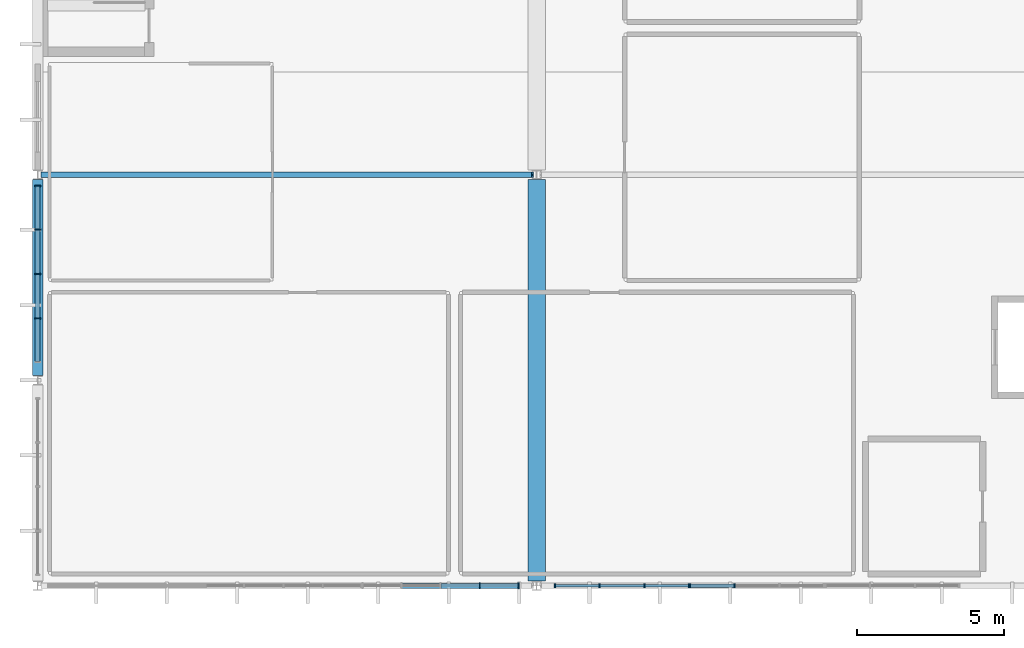
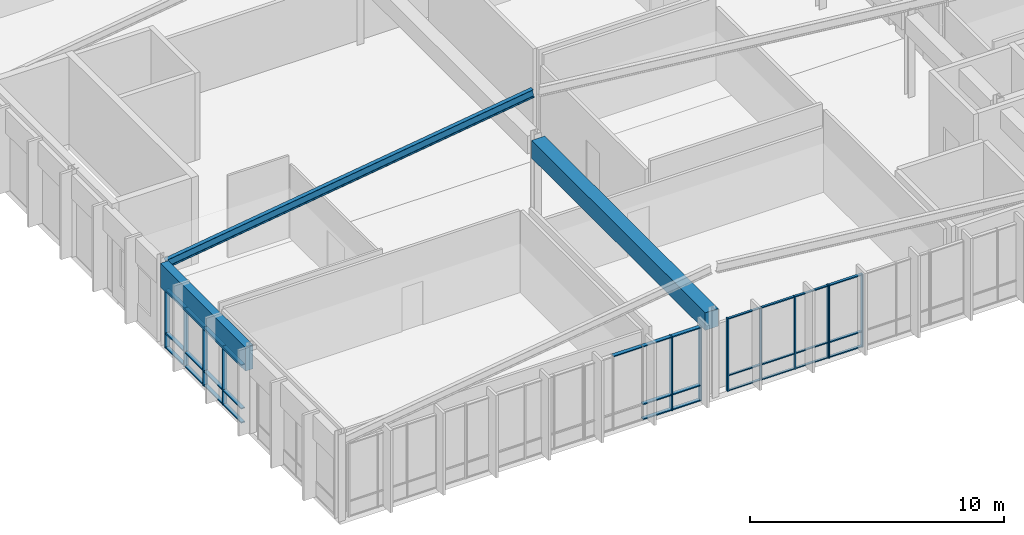
# One storey, part 5 of 16: 43 members, 3 beams, 4 elements without a shape of their own.
"""IFC4 building model written with IfcOpenShell, lengths in metres."""

from ifc_helpers import new_model, si_unit, direction, frame, origin, origin_2d, place, context, subcontext, project, spatial, rectangle, i_section, extrude, material, material_profile, profile_set, type_object, element, aggregate, save


model = new_model("IFC4")

# Units and contexts
model_context = context("Model", 3, precision=1e-05, world=origin(), true_north=direction((0.0, 1.0)))
body_context = subcontext(model_context, "Body", "Model", "MODEL_VIEW")
ifc_project = project(units=[si_unit("LENGTHUNIT", "METRE"), si_unit("AREAUNIT", "SQUARE_METRE"), si_unit("VOLUMEUNIT", "CUBIC_METRE"), si_unit("PLANEANGLEUNIT", "RADIAN"), si_unit("MASSUNIT", "GRAM", prefix="KILO")], contexts=[model_context])

# Site, building, storey
site_placement = place(None, origin())
site = spatial("IfcSite", under=ifc_project, at=site_placement, CompositionType="ELEMENT")
building_placement = place(site_placement, origin())
building = spatial("IfcBuilding", under=site, at=building_placement, Name="Larkveld Mobility Hub", CompositionType="ELEMENT")
storey_placement = place(building_placement, frame((0.0, 0.0, 22.800048828125)))
storey = spatial("IfcBuildingStorey", under=building, at=storey_placement, Name="L06", CompositionType="ELEMENT", Elevation=22.800048828125)

# Beams
ifc_material_1 = material(Name="Precast concrete C50/60", Category="concrete")
ifc_material_profile_1 = material_profile(ifc_material_1, rectangle(XDim=0.60009765625, YDim=0.85009765625, at=origin_2d()), Name="PC ITB 600x850")
ifc_profile_set_1 = profile_set([ifc_material_profile_1], Name="Precast concrete C50/60")
beam_type_1 = type_object("IfcBeamType", Name="BM-ITB6085", PredefinedType="T_BEAM", material=ifc_profile_set_1)
beam_1_placement = place(storey_placement, frame((129.0, 28.159912109375, 3.554931640625), z_axis=(0.0, 1.0, 0.0), x_axis=(-1.0, 0.0, 0.0)))
element("IfcBeam", 1, at=beam_1_placement, inside=storey, type_object=beam_type_1, Name="Primary N-S Girder L06-1004", PredefinedType="T_BEAM", context=body_context, shape_type="SweptSolid", body=[
    extrude(rectangle(XDim=0.60009765625, YDim=0.85009765625, at=origin_2d()), origin(), (0.0, 0.0, 1.0), 13.68017578125),
])
ifc_material_profile_2 = material_profile(ifc_material_1, rectangle(XDim=0.35009765625, YDim=1.14990234375, at=origin_2d()), Name="PC SP 350x1150")
ifc_profile_set_2 = profile_set([ifc_material_profile_2], Name="Precast concrete C50/60")
beam_type_2 = type_object("IfcBeamType", Name="BM-SP35115", PredefinedType="SPANDREL", material=ifc_profile_set_2)
beam_2_placement = place(storey_placement, frame((112.0, 35.159912109375, 3.405029296875), z_axis=(0.0, 1.0, 0.0), x_axis=(-1.0, 0.0, 0.0)))
element("IfcBeam", 2, at=beam_2_placement, inside=storey, type_object=beam_type_2, Name="Primary N-S Girder L06-1000", PredefinedType="SPANDREL", context=body_context, shape_type="SweptSolid", body=[
    extrude(rectangle(XDim=0.35009765625, YDim=1.14990234375, at=origin_2d()), origin(), (0.0, 0.0, 1.0), 6.68017578125),
])
ifc_material_2 = material(Name="Steel S355JR", Category="steel")
ifc_material_profile_3 = material_profile(ifc_material_2, i_section(OverallWidth=0.179931640625, OverallDepth=0.39990234375, WebThickness=0.008544921875, FlangeThickness=0.013427734375, FilletRadius=0.02099609375, at=origin_2d()), Name="IPE 400")
ifc_profile_set_3 = profile_set([ifc_material_profile_3], Name="Steel S355JR")
beam_type_3 = type_object("IfcBeamType", Name="BM-STIPE400", PredefinedType="BEAM", material=ifc_profile_set_3)
beam_3_placement = place(storey_placement, frame((112.139892578125, 42.0, 3.760009765625), z_axis=(0.990021643493, 0.0, 0.140915383885), x_axis=(0.0, 1.0, 0.0)))
element("IfcBeam", 3, at=beam_3_placement, inside=storey, type_object=beam_type_3, Name="Sports Pavilion West Rafter L06-1746", PredefinedType="BEAM", context=body_context, shape_type="SweptSolid", body=[
    extrude(i_section(OverallWidth=0.179931640625, OverallDepth=0.39990234375, WebThickness=0.008544921875, FlangeThickness=0.013427734375, FilletRadius=0.02099609375, at=origin_2d()), origin(), (0.0, 0.0, 1.0), 16.888671875),
])

# Curtain wall, members
ifc_material_3 = material(Name="Anodised aluminium 6063-T6", Category="aluminium")
curtain_wall_type_1 = type_object("IfcCurtainWallType", Name="CW-SYS-01", PredefinedType="NOTDEFINED", material=ifc_material_3)
curtain_wall_1_placement = place(storey_placement, origin())
curtain_wall_1 = element("IfcCurtainWall", 4, at=curtain_wall_1_placement, inside=storey, type_object=curtain_wall_type_1, Name="Sports Pavilion South Overlook Glazing CW-181", PredefinedType="NOTDEFINED")
ifc_material_profile_4 = material_profile(ifc_material_3, rectangle(XDim=0.050048828125, YDim=0.14990234375, at=origin_2d()), Name="ALU MULL 50x150")
ifc_profile_set_4 = profile_set([ifc_material_profile_4], Name="Anodised aluminium 6063-T6")
member_type_1 = type_object("IfcMemberType", Name="CW-MUL-01", PredefinedType="MULLION", material=ifc_profile_set_4)
member_1_placement = place(storey_placement, frame((134.23193359375, 28.0, -0.001953125), z_axis=(0.0, 0.0, 1.0), x_axis=(1.0, 0.0, 0.0)))
member_1 = element("IfcMember", 5, at=member_1_placement, type_object=member_type_1, Name="CW01 mullion 1", PredefinedType="MULLION", context=body_context, shape_type="SweptSolid", body=[
    extrude(rectangle(XDim=0.050048828125, YDim=0.14990234375, at=origin_2d()), origin(), (0.0, 0.0, 1.0), 3.511962890625),
])
member_2_placement = place(storey_placement, frame((135.742919921875, 28.0, -0.001953125), z_axis=(0.0, 0.0, 1.0), x_axis=(1.0, 0.0, 0.0)))
member_2 = element("IfcMember", 6, at=member_2_placement, type_object=member_type_1, Name="CW01 mullion 2", PredefinedType="MULLION", context=body_context, shape_type="SweptSolid", body=[
    extrude(rectangle(XDim=0.050048828125, YDim=0.14990234375, at=origin_2d()), origin(), (0.0, 0.0, 1.0), 3.511962890625),
])

curtain_wall_type_2 = type_object("IfcCurtainWallType", Name="CW-SYS-03", PredefinedType="NOTDEFINED", material=ifc_material_3)
curtain_wall_2_placement = place(storey_placement, origin())
curtain_wall_2 = element("IfcCurtainWall", 7, at=curtain_wall_2_placement, inside=storey, type_object=curtain_wall_type_2, Name="EV Wing West Glazing L06 CW-171", PredefinedType="NOTDEFINED")
ifc_material_profile_5 = material_profile(ifc_material_3, rectangle(XDim=0.050048828125, YDim=0.2099609375, at=origin_2d()), Name="ALU MULL 50x210")
ifc_profile_set_5 = profile_set([ifc_material_profile_5], Name="Anodised aluminium 6063-T6")
member_type_2 = type_object("IfcMemberType", Name="CW-MUL-03", PredefinedType="MULLION", material=ifc_profile_set_5)
member_3_placement = place(storey_placement, frame((112.0, 41.625, -0.001953125), z_axis=(0.0, 0.0, 1.0), x_axis=(0.0, -1.0, 0.0)))
member_3 = element("IfcMember", 8, at=member_3_placement, type_object=member_type_2, Name="CW03 mullion 1", PredefinedType="MULLION", context=body_context, shape_type="SweptSolid", body=[
    extrude(rectangle(XDim=0.050048828125, YDim=0.2099609375, at=origin_2d()), origin(), (0.0, 0.0, 1.0), 2.831787109375),
])
member_4_placement = place(storey_placement, frame((112.0, 40.136962890625, -0.001953125), z_axis=(0.0, 0.0, 1.0), x_axis=(0.0, -1.0, 0.0)))
member_4 = element("IfcMember", 9, at=member_4_placement, type_object=member_type_2, Name="CW03 mullion 2", PredefinedType="MULLION", context=body_context, shape_type="SweptSolid", body=[
    extrude(rectangle(XDim=0.050048828125, YDim=0.2099609375, at=origin_2d()), origin(), (0.0, 0.0, 1.0), 2.831787109375),
])
member_5_placement = place(storey_placement, frame((112.0, 38.625, -0.001953125), z_axis=(0.0, 0.0, 1.0), x_axis=(0.0, -1.0, 0.0)))
member_5 = element("IfcMember", 10, at=member_5_placement, type_object=member_type_2, Name="CW03 mullion 3", PredefinedType="MULLION", context=body_context, shape_type="SweptSolid", body=[
    extrude(rectangle(XDim=0.050048828125, YDim=0.2099609375, at=origin_2d()), origin(), (0.0, 0.0, 1.0), 2.831787109375),
])
member_6_placement = place(storey_placement, frame((112.0, 37.112060546875, -0.001953125), z_axis=(0.0, 0.0, 1.0), x_axis=(0.0, -1.0, 0.0)))
member_6 = element("IfcMember", 11, at=member_6_placement, type_object=member_type_2, Name="CW03 mullion 4", PredefinedType="MULLION", context=body_context, shape_type="SweptSolid", body=[
    extrude(rectangle(XDim=0.050048828125, YDim=0.2099609375, at=origin_2d()), origin(), (0.0, 0.0, 1.0), 2.831787109375),
])

curtain_wall_type_3 = type_object("IfcCurtainWallType", Name="CW-SYS-11", PredefinedType="NOTDEFINED", material=ifc_material_3)
curtain_wall_3_placement = place(storey_placement, origin())
curtain_wall_3 = element("IfcCurtainWall", 12, at=curtain_wall_3_placement, inside=storey, type_object=curtain_wall_type_3, Name="Sports Pavilion South Overlook Glazing CW-179", PredefinedType="NOTDEFINED")
member_7_placement = place(storey_placement, frame((127.06201171875, 28.0, -0.001953125), z_axis=(0.0, 0.0, 1.0), x_axis=(1.0, 0.0, 0.0)))
member_7 = element("IfcMember", 13, at=member_7_placement, type_object=member_type_2, Name="CW11 mullion 4", PredefinedType="MULLION", context=body_context, shape_type="SweptSolid", body=[
    extrude(rectangle(XDim=0.050048828125, YDim=0.2099609375, at=origin_2d()), origin(), (0.0, 0.0, 1.0), 3.56201171875),
])
member_8_placement = place(storey_placement, frame((128.375, 28.0, -0.001953125), z_axis=(0.0, 0.0, 1.0), x_axis=(1.0, 0.0, 0.0)))
member_8 = element("IfcMember", 14, at=member_8_placement, type_object=member_type_2, Name="CW11 mullion 5", PredefinedType="MULLION", context=body_context, shape_type="SweptSolid", body=[
    extrude(rectangle(XDim=0.050048828125, YDim=0.2099609375, at=origin_2d()), origin(), (0.0, 0.0, 1.0), 3.56201171875),
])

curtain_wall_type_4 = type_object("IfcCurtainWallType", Name="CW-SYS-12", PredefinedType="NOTDEFINED", material=ifc_material_3)
curtain_wall_4_placement = place(storey_placement, origin())
curtain_wall_4 = element("IfcCurtainWall", 15, at=curtain_wall_4_placement, inside=storey, type_object=curtain_wall_type_4, Name="Sports Pavilion South Overlook Glazing CW-180", PredefinedType="NOTDEFINED")
ifc_material_profile_6 = material_profile(ifc_material_3, rectangle(XDim=0.050048828125, YDim=0.1298828125, at=origin_2d()), Name="ALU MULL 50x130")
ifc_profile_set_6 = profile_set([ifc_material_profile_6], Name="Anodised aluminium 6063-T6")
member_type_3 = type_object("IfcMemberType", Name="CW-MUL-04", PredefinedType="MULLION", material=ifc_profile_set_6)
member_9_placement = place(storey_placement, frame((129.625, 28.0, -0.001953125), z_axis=(0.0, 0.0, 1.0), x_axis=(1.0, 0.0, 0.0)))
member_9 = element("IfcMember", 16, at=member_9_placement, type_object=member_type_3, Name="CW12 mullion 1", PredefinedType="MULLION", context=body_context, shape_type="SweptSolid", body=[
    extrude(rectangle(XDim=0.050048828125, YDim=0.1298828125, at=origin_2d()), origin(), (0.0, 0.0, 1.0), 3.511962890625),
])
member_10_placement = place(storey_placement, frame((131.135986328125, 28.0, -0.001953125), z_axis=(0.0, 0.0, 1.0), x_axis=(1.0, 0.0, 0.0)))
member_10 = element("IfcMember", 17, at=member_10_placement, type_object=member_type_3, Name="CW12 mullion 2", PredefinedType="MULLION", context=body_context, shape_type="SweptSolid", body=[
    extrude(rectangle(XDim=0.050048828125, YDim=0.1298828125, at=origin_2d()), origin(), (0.0, 0.0, 1.0), 3.511962890625),
])
member_11_placement = place(storey_placement, frame((132.6708984375, 28.0, -0.001953125), z_axis=(0.0, 0.0, 1.0), x_axis=(1.0, 0.0, 0.0)))
member_11 = element("IfcMember", 18, at=member_11_placement, type_object=member_type_3, Name="CW12 mullion 3", PredefinedType="MULLION", context=body_context, shape_type="SweptSolid", body=[
    extrude(rectangle(XDim=0.050048828125, YDim=0.1298828125, at=origin_2d()), origin(), (0.0, 0.0, 1.0), 3.511962890625),
])
member_12_placement = place(storey_placement, frame((134.181884765625, 28.0, -0.001953125), z_axis=(0.0, 0.0, 1.0), x_axis=(1.0, 0.0, 0.0)))
member_12 = element("IfcMember", 19, at=member_12_placement, type_object=member_type_3, Name="CW12 mullion 4", PredefinedType="MULLION", context=body_context, shape_type="SweptSolid", body=[
    extrude(rectangle(XDim=0.050048828125, YDim=0.1298828125, at=origin_2d()), origin(), (0.0, 0.0, 1.0), 3.511962890625),
])

# Member
ifc_material_profile_7 = material_profile(ifc_material_3, rectangle(XDim=0.1201171875, YDim=0.050048828125, at=origin_2d()), Name="ALU TRAN 50x120")
ifc_profile_set_7 = profile_set([ifc_material_profile_7], Name="Anodised aluminium 6063-T6")
member_type_4 = type_object("IfcMemberType", Name="CW-TRN-01", PredefinedType="USERDEFINED", material=ifc_profile_set_7)
member_13_placement = place(storey_placement, frame((134.241943359375, 28.0, 0.030029296875), z_axis=(1.0, 0.0, 0.0), x_axis=(0.0, 1.0, 0.0)))
member_13 = element("IfcMember", 20, at=member_13_placement, type_object=member_type_4, Name="CW01 transom 1.1", ObjectType="TRANSOM", PredefinedType="USERDEFINED", context=body_context, shape_type="SweptSolid", body=[
    extrude(rectangle(XDim=0.1201171875, YDim=0.050048828125, at=origin_2d()), origin(), (0.0, 0.0, 1.0), 1.486083984375),
])

member_14_placement = place(storey_placement, frame((134.241943359375, 28.0, 0.75), z_axis=(1.0, 0.0, 0.0), x_axis=(0.0, 1.0, 0.0)))
member_14 = element("IfcMember", 21, at=member_14_placement, type_object=member_type_4, Name="CW01 transom 1.2", ObjectType="TRANSOM", PredefinedType="USERDEFINED", context=body_context, shape_type="SweptSolid", body=[
    extrude(rectangle(XDim=0.1201171875, YDim=0.050048828125, at=origin_2d()), origin(), (0.0, 0.0, 1.0), 1.486083984375),
])

member_15_placement = place(storey_placement, frame((134.241943359375, 28.0, 3.47802734375), z_axis=(1.0, 0.0, 0.0), x_axis=(0.0, 1.0, 0.0)))
member_15 = element("IfcMember", 22, at=member_15_placement, type_object=member_type_4, Name="CW01 transom 1.3", ObjectType="TRANSOM", PredefinedType="USERDEFINED", context=body_context, shape_type="SweptSolid", body=[
    extrude(rectangle(XDim=0.1201171875, YDim=0.050048828125, at=origin_2d()), origin(), (0.0, 0.0, 1.0), 1.486083984375),
])

aggregate(curtain_wall_1, [member_1, member_2, member_13, member_14, member_15])

ifc_material_profile_8 = material_profile(ifc_material_3, rectangle(XDim=0.169921875, YDim=0.050048828125, at=origin_2d()), Name="ALU TRAN 50x170")
ifc_profile_set_8 = profile_set([ifc_material_profile_8], Name="Anodised aluminium 6063-T6")
member_type_5 = type_object("IfcMemberType", Name="CW-TRN-03", PredefinedType="USERDEFINED", material=ifc_profile_set_8)
member_16_placement = place(storey_placement, frame((112.0, 41.614990234375, 0.030029296875), z_axis=(0.0, -1.0, 0.0), x_axis=(1.0, 0.0, 0.0)))
member_16 = element("IfcMember", 23, at=member_16_placement, type_object=member_type_5, Name="CW03 transom 1.1", ObjectType="TRANSOM", PredefinedType="USERDEFINED", context=body_context, shape_type="SweptSolid", body=[
    extrude(rectangle(XDim=0.169921875, YDim=0.050048828125, at=origin_2d()), origin(), (0.0, 0.0, 1.0), 1.462890625),
])

member_17_placement = place(storey_placement, frame((112.0, 41.614990234375, 0.70703125), z_axis=(0.0, -1.0, 0.0), x_axis=(1.0, 0.0, 0.0)))
member_17 = element("IfcMember", 24, at=member_17_placement, type_object=member_type_5, Name="CW03 transom 1.2", ObjectType="TRANSOM", PredefinedType="USERDEFINED", context=body_context, shape_type="SweptSolid", body=[
    extrude(rectangle(XDim=0.169921875, YDim=0.050048828125, at=origin_2d()), origin(), (0.0, 0.0, 1.0), 1.462890625),
])

member_18_placement = place(storey_placement, frame((112.0, 41.614990234375, 2.7978515625), z_axis=(0.0, -1.0, 0.0), x_axis=(1.0, 0.0, 0.0)))
member_18 = element("IfcMember", 25, at=member_18_placement, type_object=member_type_5, Name="CW03 transom 1.3", ObjectType="TRANSOM", PredefinedType="USERDEFINED", context=body_context, shape_type="SweptSolid", body=[
    extrude(rectangle(XDim=0.169921875, YDim=0.050048828125, at=origin_2d()), origin(), (0.0, 0.0, 1.0), 1.462890625),
])

member_19_placement = place(storey_placement, frame((112.0, 40.1220703125, 0.030029296875), z_axis=(0.0, -1.0, 0.0), x_axis=(1.0, 0.0, 0.0)))
member_19 = element("IfcMember", 26, at=member_19_placement, type_object=member_type_5, Name="CW03 transom 2.1", ObjectType="TRANSOM", PredefinedType="USERDEFINED", context=body_context, shape_type="SweptSolid", body=[
    extrude(rectangle(XDim=0.169921875, YDim=0.050048828125, at=origin_2d()), origin(), (0.0, 0.0, 1.0), 1.482177734375),
])

member_20_placement = place(storey_placement, frame((112.0, 40.1220703125, 0.70703125), z_axis=(0.0, -1.0, 0.0), x_axis=(1.0, 0.0, 0.0)))
member_20 = element("IfcMember", 27, at=member_20_placement, type_object=member_type_5, Name="CW03 transom 2.2", ObjectType="TRANSOM", PredefinedType="USERDEFINED", context=body_context, shape_type="SweptSolid", body=[
    extrude(rectangle(XDim=0.169921875, YDim=0.050048828125, at=origin_2d()), origin(), (0.0, 0.0, 1.0), 1.482177734375),
])

member_21_placement = place(storey_placement, frame((112.0, 40.1220703125, 2.7978515625), z_axis=(0.0, -1.0, 0.0), x_axis=(1.0, 0.0, 0.0)))
member_21 = element("IfcMember", 28, at=member_21_placement, type_object=member_type_5, Name="CW03 transom 2.3", ObjectType="TRANSOM", PredefinedType="USERDEFINED", context=body_context, shape_type="SweptSolid", body=[
    extrude(rectangle(XDim=0.169921875, YDim=0.050048828125, at=origin_2d()), origin(), (0.0, 0.0, 1.0), 1.482177734375),
])

member_22_placement = place(storey_placement, frame((112.0, 38.610107421875, 0.030029296875), z_axis=(0.0, -1.0, 0.0), x_axis=(1.0, 0.0, 0.0)))
member_22 = element("IfcMember", 29, at=member_22_placement, type_object=member_type_5, Name="CW03 transom 3.1", ObjectType="TRANSOM", PredefinedType="USERDEFINED", context=body_context, shape_type="SweptSolid", body=[
    extrude(rectangle(XDim=0.169921875, YDim=0.050048828125, at=origin_2d()), origin(), (0.0, 0.0, 1.0), 1.483154296875),
])

member_23_placement = place(storey_placement, frame((112.0, 38.610107421875, 0.70703125), z_axis=(0.0, -1.0, 0.0), x_axis=(1.0, 0.0, 0.0)))
member_23 = element("IfcMember", 30, at=member_23_placement, type_object=member_type_5, Name="CW03 transom 3.2", ObjectType="TRANSOM", PredefinedType="USERDEFINED", context=body_context, shape_type="SweptSolid", body=[
    extrude(rectangle(XDim=0.169921875, YDim=0.050048828125, at=origin_2d()), origin(), (0.0, 0.0, 1.0), 1.483154296875),
])

member_24_placement = place(storey_placement, frame((112.0, 38.610107421875, 2.7978515625), z_axis=(0.0, -1.0, 0.0), x_axis=(1.0, 0.0, 0.0)))
member_24 = element("IfcMember", 31, at=member_24_placement, type_object=member_type_5, Name="CW03 transom 3.3", ObjectType="TRANSOM", PredefinedType="USERDEFINED", context=body_context, shape_type="SweptSolid", body=[
    extrude(rectangle(XDim=0.169921875, YDim=0.050048828125, at=origin_2d()), origin(), (0.0, 0.0, 1.0), 1.483154296875),
])

member_25_placement = place(storey_placement, frame((112.0, 37.096923828125, 0.030029296875), z_axis=(0.0, -1.0, 0.0), x_axis=(1.0, 0.0, 0.0)))
member_25 = element("IfcMember", 32, at=member_25_placement, type_object=member_type_5, Name="CW03 transom 4.1", ObjectType="TRANSOM", PredefinedType="USERDEFINED", context=body_context, shape_type="SweptSolid", body=[
    extrude(rectangle(XDim=0.169921875, YDim=0.050048828125, at=origin_2d()), origin(), (0.0, 0.0, 1.0), 1.4619140625),
])

member_26_placement = place(storey_placement, frame((112.0, 37.096923828125, 0.70703125), z_axis=(0.0, -1.0, 0.0), x_axis=(1.0, 0.0, 0.0)))
member_26 = element("IfcMember", 33, at=member_26_placement, type_object=member_type_5, Name="CW03 transom 4.2", ObjectType="TRANSOM", PredefinedType="USERDEFINED", context=body_context, shape_type="SweptSolid", body=[
    extrude(rectangle(XDim=0.169921875, YDim=0.050048828125, at=origin_2d()), origin(), (0.0, 0.0, 1.0), 1.4619140625),
])

member_27_placement = place(storey_placement, frame((112.0, 37.096923828125, 2.7978515625), z_axis=(0.0, -1.0, 0.0), x_axis=(1.0, 0.0, 0.0)))
member_27 = element("IfcMember", 34, at=member_27_placement, type_object=member_type_5, Name="CW03 transom 4.3", ObjectType="TRANSOM", PredefinedType="USERDEFINED", context=body_context, shape_type="SweptSolid", body=[
    extrude(rectangle(XDim=0.169921875, YDim=0.050048828125, at=origin_2d()), origin(), (0.0, 0.0, 1.0), 1.4619140625),
])

aggregate(curtain_wall_2, [member_3, member_4, member_5, member_6, member_16, member_17, member_18, member_19, member_20, member_21, member_22, member_23, member_24, member_25, member_26, member_27])

member_28_placement = place(storey_placement, frame((124.403076171875, 28.0, 3.52783203125), z_axis=(1.0, 0.0, 0.0), x_axis=(0.0, 1.0, 0.0)))
member_28 = element("IfcMember", 35, at=member_28_placement, type_object=member_type_5, Name="CW11 transom 2.3", ObjectType="TRANSOM", PredefinedType="USERDEFINED", context=body_context, shape_type="SweptSolid", body=[
    extrude(rectangle(XDim=0.169921875, YDim=0.050048828125, at=origin_2d()), origin(), (0.0, 0.0, 1.0), 1.306884765625),
])

member_29_placement = place(storey_placement, frame((125.739990234375, 28.0, 0.030029296875), z_axis=(1.0, 0.0, 0.0), x_axis=(0.0, 1.0, 0.0)))
member_29 = element("IfcMember", 36, at=member_29_placement, type_object=member_type_5, Name="CW11 transom 3.1", ObjectType="TRANSOM", PredefinedType="USERDEFINED", context=body_context, shape_type="SweptSolid", body=[
    extrude(rectangle(XDim=0.169921875, YDim=0.050048828125, at=origin_2d()), origin(), (0.0, 0.0, 1.0), 1.30712890625),
])

member_30_placement = place(storey_placement, frame((125.739990234375, 28.0, 0.75), z_axis=(1.0, 0.0, 0.0), x_axis=(0.0, 1.0, 0.0)))
member_30 = element("IfcMember", 37, at=member_30_placement, type_object=member_type_5, Name="CW11 transom 3.2", ObjectType="TRANSOM", PredefinedType="USERDEFINED", context=body_context, shape_type="SweptSolid", body=[
    extrude(rectangle(XDim=0.169921875, YDim=0.050048828125, at=origin_2d()), origin(), (0.0, 0.0, 1.0), 1.30712890625),
])

member_31_placement = place(storey_placement, frame((125.739990234375, 28.0, 3.52783203125), z_axis=(1.0, 0.0, 0.0), x_axis=(0.0, 1.0, 0.0)))
member_31 = element("IfcMember", 38, at=member_31_placement, type_object=member_type_5, Name="CW11 transom 3.3", ObjectType="TRANSOM", PredefinedType="USERDEFINED", context=body_context, shape_type="SweptSolid", body=[
    extrude(rectangle(XDim=0.169921875, YDim=0.050048828125, at=origin_2d()), origin(), (0.0, 0.0, 1.0), 1.30712890625),
])

member_32_placement = place(storey_placement, frame((127.077880859375, 28.0, 0.030029296875), z_axis=(1.0, 0.0, 0.0), x_axis=(0.0, 1.0, 0.0)))
member_32 = element("IfcMember", 39, at=member_32_placement, type_object=member_type_5, Name="CW11 transom 4.1", ObjectType="TRANSOM", PredefinedType="USERDEFINED", context=body_context, shape_type="SweptSolid", body=[
    extrude(rectangle(XDim=0.169921875, YDim=0.050048828125, at=origin_2d()), origin(), (0.0, 0.0, 1.0), 1.287109375),
])

member_33_placement = place(storey_placement, frame((127.077880859375, 28.0, 0.75), z_axis=(1.0, 0.0, 0.0), x_axis=(0.0, 1.0, 0.0)))
member_33 = element("IfcMember", 40, at=member_33_placement, type_object=member_type_5, Name="CW11 transom 4.2", ObjectType="TRANSOM", PredefinedType="USERDEFINED", context=body_context, shape_type="SweptSolid", body=[
    extrude(rectangle(XDim=0.169921875, YDim=0.050048828125, at=origin_2d()), origin(), (0.0, 0.0, 1.0), 1.287109375),
])

member_34_placement = place(storey_placement, frame((127.077880859375, 28.0, 3.52783203125), z_axis=(1.0, 0.0, 0.0), x_axis=(0.0, 1.0, 0.0)))
member_34 = element("IfcMember", 41, at=member_34_placement, type_object=member_type_5, Name="CW11 transom 4.3", ObjectType="TRANSOM", PredefinedType="USERDEFINED", context=body_context, shape_type="SweptSolid", body=[
    extrude(rectangle(XDim=0.169921875, YDim=0.050048828125, at=origin_2d()), origin(), (0.0, 0.0, 1.0), 1.287109375),
])

aggregate(curtain_wall_3, [member_7, member_8, member_28, member_29, member_30, member_31, member_32, member_33, member_34])

ifc_material_profile_9 = material_profile(ifc_material_3, rectangle(XDim=0.10009765625, YDim=0.050048828125, at=origin_2d()), Name="ALU TRAN 50x100")
ifc_profile_set_9 = profile_set([ifc_material_profile_9], Name="Anodised aluminium 6063-T6")
member_type_6 = type_object("IfcMemberType", Name="CW-TRN-04", PredefinedType="USERDEFINED", material=ifc_profile_set_9)
member_35_placement = place(storey_placement, frame((129.635009765625, 28.0, 0.030029296875), z_axis=(1.0, 0.0, 0.0), x_axis=(0.0, 1.0, 0.0)))
member_35 = element("IfcMember", 42, at=member_35_placement, type_object=member_type_6, Name="CW12 transom 1.1", ObjectType="TRANSOM", PredefinedType="USERDEFINED", context=body_context, shape_type="SweptSolid", body=[
    extrude(rectangle(XDim=0.10009765625, YDim=0.050048828125, at=origin_2d()), origin(), (0.0, 0.0, 1.0), 1.486083984375),
])

member_36_placement = place(storey_placement, frame((129.635009765625, 28.0, 0.75), z_axis=(1.0, 0.0, 0.0), x_axis=(0.0, 1.0, 0.0)))
member_36 = element("IfcMember", 43, at=member_36_placement, type_object=member_type_6, Name="CW12 transom 1.2", ObjectType="TRANSOM", PredefinedType="USERDEFINED", context=body_context, shape_type="SweptSolid", body=[
    extrude(rectangle(XDim=0.10009765625, YDim=0.050048828125, at=origin_2d()), origin(), (0.0, 0.0, 1.0), 1.486083984375),
])

member_37_placement = place(storey_placement, frame((129.635009765625, 28.0, 3.47802734375), z_axis=(1.0, 0.0, 0.0), x_axis=(0.0, 1.0, 0.0)))
member_37 = element("IfcMember", 44, at=member_37_placement, type_object=member_type_6, Name="CW12 transom 1.3", ObjectType="TRANSOM", PredefinedType="USERDEFINED", context=body_context, shape_type="SweptSolid", body=[
    extrude(rectangle(XDim=0.10009765625, YDim=0.050048828125, at=origin_2d()), origin(), (0.0, 0.0, 1.0), 1.486083984375),
])

member_38_placement = place(storey_placement, frame((131.15087890625, 28.0, 0.030029296875), z_axis=(1.0, 0.0, 0.0), x_axis=(0.0, 1.0, 0.0)))
member_38 = element("IfcMember", 45, at=member_38_placement, type_object=member_type_6, Name="CW12 transom 2.1", ObjectType="TRANSOM", PredefinedType="USERDEFINED", context=body_context, shape_type="SweptSolid", body=[
    extrude(rectangle(XDim=0.10009765625, YDim=0.050048828125, at=origin_2d()), origin(), (0.0, 0.0, 1.0), 1.505126953125),
])

member_39_placement = place(storey_placement, frame((131.15087890625, 28.0, 0.75), z_axis=(1.0, 0.0, 0.0), x_axis=(0.0, 1.0, 0.0)))
member_39 = element("IfcMember", 46, at=member_39_placement, type_object=member_type_6, Name="CW12 transom 2.2", ObjectType="TRANSOM", PredefinedType="USERDEFINED", context=body_context, shape_type="SweptSolid", body=[
    extrude(rectangle(XDim=0.10009765625, YDim=0.050048828125, at=origin_2d()), origin(), (0.0, 0.0, 1.0), 1.505126953125),
])

member_40_placement = place(storey_placement, frame((131.15087890625, 28.0, 3.47802734375), z_axis=(1.0, 0.0, 0.0), x_axis=(0.0, 1.0, 0.0)))
member_40 = element("IfcMember", 47, at=member_40_placement, type_object=member_type_6, Name="CW12 transom 2.3", ObjectType="TRANSOM", PredefinedType="USERDEFINED", context=body_context, shape_type="SweptSolid", body=[
    extrude(rectangle(XDim=0.10009765625, YDim=0.050048828125, at=origin_2d()), origin(), (0.0, 0.0, 1.0), 1.505126953125),
])

member_41_placement = place(storey_placement, frame((132.68603515625, 28.0, 0.030029296875), z_axis=(1.0, 0.0, 0.0), x_axis=(0.0, 1.0, 0.0)))
member_41 = element("IfcMember", 48, at=member_41_placement, type_object=member_type_6, Name="CW12 transom 3.1", ObjectType="TRANSOM", PredefinedType="USERDEFINED", context=body_context, shape_type="SweptSolid", body=[
    extrude(rectangle(XDim=0.10009765625, YDim=0.050048828125, at=origin_2d()), origin(), (0.0, 0.0, 1.0), 1.486083984375),
])

member_42_placement = place(storey_placement, frame((132.68603515625, 28.0, 0.75), z_axis=(1.0, 0.0, 0.0), x_axis=(0.0, 1.0, 0.0)))
member_42 = element("IfcMember", 49, at=member_42_placement, type_object=member_type_6, Name="CW12 transom 3.2", ObjectType="TRANSOM", PredefinedType="USERDEFINED", context=body_context, shape_type="SweptSolid", body=[
    extrude(rectangle(XDim=0.10009765625, YDim=0.050048828125, at=origin_2d()), origin(), (0.0, 0.0, 1.0), 1.486083984375),
])

member_43_placement = place(storey_placement, frame((132.68603515625, 28.0, 3.47802734375), z_axis=(1.0, 0.0, 0.0), x_axis=(0.0, 1.0, 0.0)))
member_43 = element("IfcMember", 50, at=member_43_placement, type_object=member_type_6, Name="CW12 transom 3.3", ObjectType="TRANSOM", PredefinedType="USERDEFINED", context=body_context, shape_type="SweptSolid", body=[
    extrude(rectangle(XDim=0.10009765625, YDim=0.050048828125, at=origin_2d()), origin(), (0.0, 0.0, 1.0), 1.486083984375),
])

aggregate(curtain_wall_4, [member_9, member_10, member_11, member_12, member_35, member_36, member_37, member_38, member_39, member_40, member_41, member_42, member_43])

save(model, "model.ifc")
